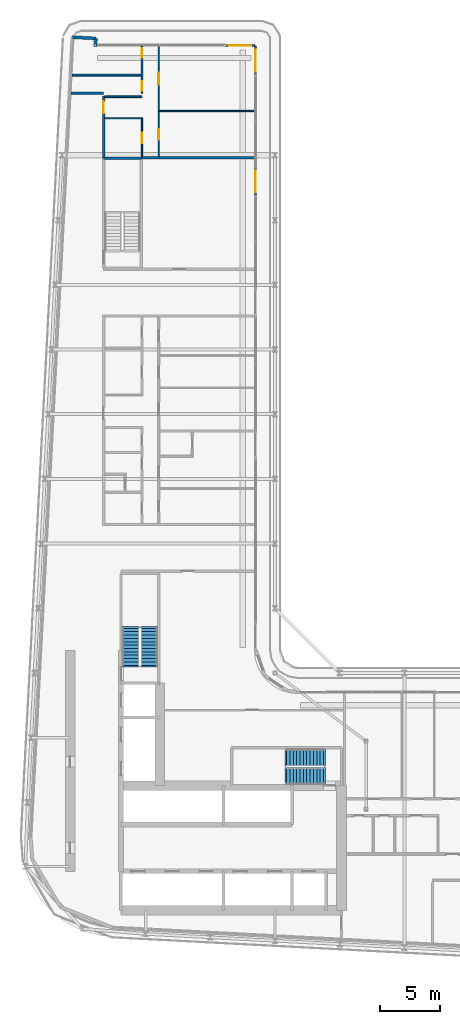
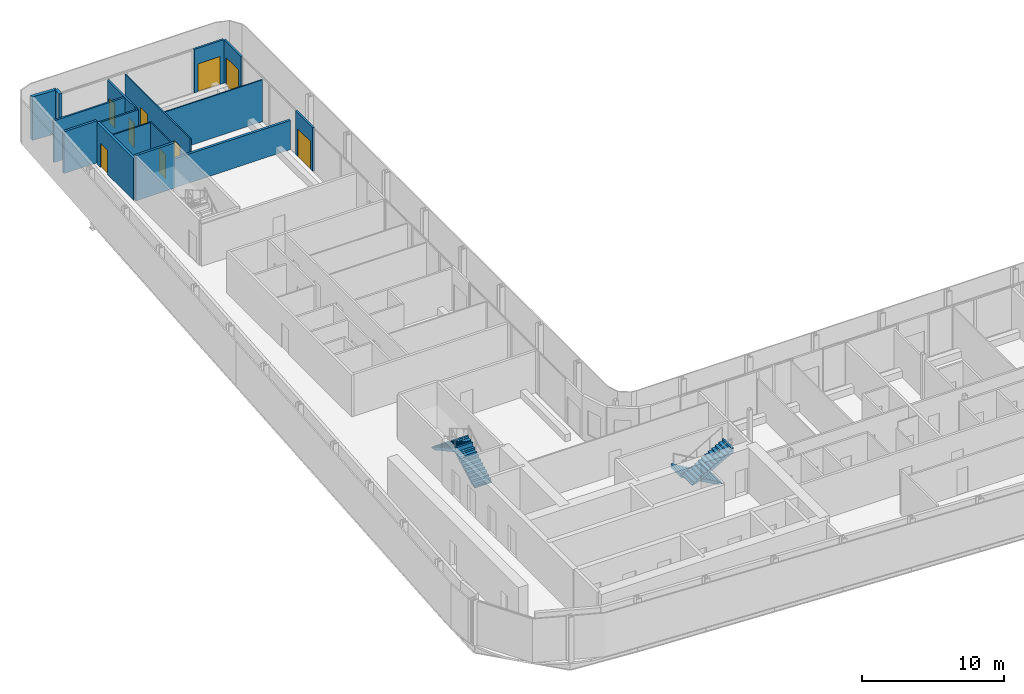
# One storey, part 20 of 28: 16 walls, 9 doors, 4 stair flights, 9 openings, 2 elements without a shape of their own.
"""IFC4 building model written with IfcOpenShell, lengths in metres."""

from ifc_helpers import new_model, si_unit, direction, frame, frame_2d, origin, place, context, subcontext, project, spatial, polyline, rectangle, outline, extrude, source, transform, mapped, material, layer, layer_set, type_object, element, fill, aggregate, save


model = new_model("IFC4")

# Units and contexts
model_context = context("Model", 3, precision=1e-05, world=origin(), true_north=direction((0.0, 1.0)))
body_context = subcontext(model_context, "Body", "Model", "MODEL_VIEW")
ifc_project = project(units=[si_unit("LENGTHUNIT", "METRE"), si_unit("AREAUNIT", "SQUARE_METRE"), si_unit("VOLUMEUNIT", "CUBIC_METRE"), si_unit("PLANEANGLEUNIT", "RADIAN"), si_unit("MASSUNIT", "GRAM", prefix="KILO")], contexts=[model_context])

# Site, building, storey
site_placement = place(None, origin())
site = spatial("IfcSite", under=ifc_project, at=site_placement, CompositionType="ELEMENT")
building_placement = place(site_placement, origin())
building = spatial("IfcBuilding", under=site, at=building_placement, Name="Kheshtan School and Residences Tower", CompositionType="ELEMENT")
storey_placement = place(building_placement, frame((0.0, 0.0, 191.60009765625)))
storey = spatial("IfcBuildingStorey", under=building, at=storey_placement, Name="L45", CompositionType="ELEMENT", Elevation=191.60009765625)

# Wall
ifc_material_1 = material(Name="Gypsum board on steel studs with fire boards", Category="steel")
ifc_layer_1 = layer(ifc_material_1, 0.199951171875)
ifc_layer_set_1 = layer_set([ifc_layer_1], Name="Corridor wall 200")
wall_type_1 = type_object("IfcWallType", Name="Corridor wall 200", PredefinedType="PARTITIONING", material=ifc_layer_set_1)
wall_1_placement = place(storey_placement, frame((30.584716796875, 94.0, 0.0), z_axis=(0.0, 0.0, 1.0), x_axis=(1.0, 0.0, 0.0)))
element("IfcWall", 1, at=wall_1_placement, inside=storey, type_object=wall_type_1, Name="Partition L45-002", PredefinedType="PARTITIONING", context=body_context, shape_type="SweptSolid", body=[
    extrude(rectangle(XDim=2.71533203125, YDim=0.199951171875, at=frame_2d((1.357666015625, 0.0))), origin(), (0.0, 0.0, 1.0), 3.599853515625),
])

# Wall, opening, door
wall_2_placement = place(storey_placement, frame((33.300048828125, 88.60009765625, 0.0), z_axis=(0.0, 0.0, 1.0), x_axis=(0.0, 1.0, 0.0)))
wall_2 = element("IfcWall", 2, at=wall_2_placement, inside=storey, type_object=wall_type_1, Name="Partition L45-005", PredefinedType="PARTITIONING", context=body_context, shape_type="SweptSolid", body=[
    extrude(rectangle(XDim=5.1748046875, YDim=0.199951171875, at=frame_2d((2.58740234375, 0.0))), origin(), (0.0, 0.0, 1.0), 3.599853515625),
])
opening_1_placement = place(wall_2_placement, frame((3.699951171875, 0.0, 0.0)))
opening_1 = element("IfcOpeningElement", 3, at=opening_1_placement, cuts=wall_2, Name="Opening D43-049", PredefinedType="OPENING", context=body_context, shape_type="SweptSolid", body=[
    extrude(rectangle(XDim=1.0, YDim=2.10009765625, at=frame_2d((0.5, 1.050048828125))), frame((0.0, 0.10986328125, 0.0), z_axis=(0.0, -1.0, 0.0), x_axis=(1.0, 0.0, 0.0)), (0.0, 0.0, 1.0), 0.219970703125),
])
ifc_material_2 = material(Name="Steel-framed fire-resisting door leaf", Category="steel")
door_type_1 = type_object("IfcDoorType", Name="Fire door FD30S 1000 x 2100", OperationType="SINGLE_SWING_LEFT", PredefinedType="DOOR", material=ifc_material_2)
shared_shape_1 = source(origin(), body_context, "Body", "SweptSolid", [
    extrude(rectangle(XDim=1.0, YDim=2.10009765625, at=frame_2d((0.5, 1.050048828125))), frame((0.0, 0.02490234375, 0.0), z_axis=(0.0, -1.0, 0.0), x_axis=(1.0, 0.0, 0.0)), (0.0, 0.0, 1.0), 0.050048828125),
])
door_1_placement = place(opening_1_placement, origin())
door_1 = element("IfcDoor", 4, at=door_1_placement, inside=storey, type_object=door_type_1, Name="Door D43-049", OperationType="SINGLE_SWING_RIGHT", OverallHeight=2.10009765625, OverallWidth=1.0, PredefinedType="DOOR", context=body_context, shape_type="MappedRepresentation", body=[
    mapped(shared_shape_1, transform((0.0, 0.0, 0.0), x_axis=(1.0, 0.0, 0.0), y_axis=(0.0, 1.0, 0.0), z_axis=(0.0, 0.0, 1.0), scale=1.0)),
])
fill(opening_1, door_1)

# Walls
ifc_material_3 = material(Name="Concrete C40/50 with ceramic cladding and mineral wool insulation", Category="concrete")
ifc_layer_2 = layer(ifc_material_3, 0.25)
ifc_layer_set_2 = layer_set([ifc_layer_2], Name="External wall 250 ceramic clad")
wall_type_2 = type_object("IfcWallType", Name="External wall 250 ceramic clad", PredefinedType="SOLIDWALL", material=ifc_layer_set_2)
wall_3_placement = place(storey_placement, frame((30.705078125, 98.6640625, 0.0), z_axis=(0.0, 0.0, 1.0), x_axis=(0.998577785791, -0.053314216913, 0.0)))
element("IfcWall", 5, at=wall_3_placement, inside=storey, type_object=wall_type_2, Name="External wall L45 5", PredefinedType="SOLIDWALL", context=body_context, shape_type="SweptSolid", body=[
    extrude(rectangle(XDim=1.95068359375, YDim=0.25, at=frame_2d((0.975341796875, 0.0))), origin(), (0.0, 0.0, 1.0), 3.75),
])
wall_4_placement = place(storey_placement, frame((32.653076171875, 98.56005859375, 0.0), z_axis=(0.0, 0.0, 1.0), x_axis=(-0.054093451632, -0.998535877418, 0.0)))
element("IfcWall", 6, at=wall_4_placement, inside=storey, type_object=wall_type_2, Name="External wall L45 6", PredefinedType="SOLIDWALL", context=body_context, shape_type="SweptSolid", body=[
    extrude(rectangle(XDim=0.66796875, YDim=0.25, at=frame_2d((0.333984375, 0.0))), origin(), (0.0, 0.0, 1.0), 3.75),
])

# Wall, opening, door
ifc_material_4 = material(Name="Aluminium frame wall with insulated infill", Category="aluminium")
ifc_layer_3 = layer(ifc_material_4, 0.14990234375)
ifc_layer_set_3 = layer_set([ifc_layer_3], Name="Glazing frame wall 150")
wall_type_3 = type_object("IfcWallType", Name="Glazing frame wall 150", PredefinedType="SOLIDWALL", material=ifc_layer_set_3)
wall_5_placement = place(storey_placement, frame((43.5, 97.97509765625, 0.0), z_axis=(0.0, 0.0, 1.0), x_axis=(1.0, 0.0, 0.0)))
wall_5 = element("IfcWall", 7, at=wall_5_placement, inside=storey, type_object=wall_type_3, Name="Balcony door wall L45 7.1", PredefinedType="SOLIDWALL", context=body_context, shape_type="SweptSolid", body=[
    extrude(rectangle(XDim=2.39990234375, YDim=0.14990234375, at=frame_2d((1.199951171875, 0.0))), origin(), (0.0, 0.0, 1.0), 3.75),
])
opening_2_placement = place(wall_5_placement, frame((0.300048828125, 0.0, 0.0)))
opening_2 = element("IfcOpeningElement", 8, at=opening_2_placement, cuts=wall_5, Name="Opening BD", PredefinedType="OPENING", context=body_context, shape_type="SweptSolid", body=[
    extrude(rectangle(XDim=1.800048828125, YDim=2.39990234375, at=frame_2d((0.89990234375, 1.199951171875))), frame((0.0, 0.0849609375, 0.0), z_axis=(0.0, -1.0, 0.0), x_axis=(1.0, 0.0, 0.0)), (0.0, 0.0, 1.0), 0.169921875),
])
ifc_material_5 = material(Name="Clear low-e glass in thermally broken aluminium frame", Category="aluminium")
door_type_2 = type_object("IfcDoorType", Name="Balcony sliding door", OperationType="SLIDING_TO_LEFT", PredefinedType="DOOR", material=ifc_material_5)
shared_shape_2 = source(origin(), body_context, "Body", "SweptSolid", [
    extrude(rectangle(XDim=1.800048828125, YDim=2.39990234375, at=frame_2d((0.89990234375, 1.199951171875))), frame((0.0, 0.02490234375, 0.0), z_axis=(0.0, -1.0, 0.0), x_axis=(1.0, 0.0, 0.0)), (0.0, 0.0, 1.0), 0.050048828125),
])
door_2_placement = place(opening_2_placement, origin())
door_2 = element("IfcDoor", 9, at=door_2_placement, inside=storey, type_object=door_type_2, Name="Balcony door L45 7.1", OperationType="SLIDING_TO_LEFT", OverallHeight=2.39990234375, OverallWidth=1.800048828125, PredefinedType="DOOR", context=body_context, shape_type="MappedRepresentation", body=[
    mapped(shared_shape_2, transform((0.0, 0.0, 0.0), x_axis=(1.0, 0.0, 0.0), y_axis=(0.0, 1.0, 0.0), z_axis=(0.0, 0.0, 1.0), scale=1.0)),
])
fill(opening_2, door_2)

wall_6_placement = place(storey_placement, frame((45.97509765625, 97.89990234375, 0.0), z_axis=(0.0, 0.0, 1.0), x_axis=(0.0, -1.0, 0.0)))
wall_6 = element("IfcWall", 10, at=wall_6_placement, inside=storey, type_object=wall_type_3, Name="Balcony door wall L45 8.1", PredefinedType="SOLIDWALL", context=body_context, shape_type="SweptSolid", body=[
    extrude(rectangle(XDim=2.39990234375, YDim=0.14990234375, at=frame_2d((1.199951171875, 0.0))), origin(), (0.0, 0.0, 1.0), 3.75),
])
opening_3_placement = place(wall_6_placement, frame((0.300048828125, 0.0, 0.0)))
opening_3 = element("IfcOpeningElement", 11, at=opening_3_placement, cuts=wall_6, Name="Opening BD", PredefinedType="OPENING", context=body_context, shape_type="SweptSolid", body=[
    extrude(rectangle(XDim=1.800048828125, YDim=2.39990234375, at=frame_2d((0.89990234375, 1.199951171875))), frame((0.0, 0.0849609375, 0.0), z_axis=(0.0, -1.0, 0.0), x_axis=(1.0, 0.0, 0.0)), (0.0, 0.0, 1.0), 0.169921875),
])
door_3_placement = place(opening_3_placement, origin())
door_3 = element("IfcDoor", 12, at=door_3_placement, inside=storey, type_object=door_type_2, Name="Balcony door L45 8.1", OperationType="SLIDING_TO_LEFT", OverallHeight=2.39990234375, OverallWidth=1.800048828125, PredefinedType="DOOR", context=body_context, shape_type="MappedRepresentation", body=[
    mapped(shared_shape_2, transform((0.0, 0.0, 0.0), x_axis=(1.0, 0.0, 0.0), y_axis=(0.0, 1.0, 0.0), z_axis=(0.0, 0.0, 1.0), scale=1.0)),
])
fill(opening_3, door_3)

wall_7_placement = place(storey_placement, frame((45.97509765625, 87.805908203125, 0.0), z_axis=(0.0, 0.0, 1.0), x_axis=(0.0, -1.0, 0.0)))
wall_7 = element("IfcWall", 13, at=wall_7_placement, inside=storey, type_object=wall_type_3, Name="Balcony door wall L45 8.2", PredefinedType="SOLIDWALL", context=body_context, shape_type="SweptSolid", body=[
    extrude(rectangle(XDim=2.39990234375, YDim=0.14990234375, at=frame_2d((1.199951171875, 0.0))), origin(), (0.0, 0.0, 1.0), 3.75),
])
opening_4_placement = place(wall_7_placement, frame((0.300048828125, 0.0, 0.0)))
opening_4 = element("IfcOpeningElement", 14, at=opening_4_placement, cuts=wall_7, Name="Opening BD", PredefinedType="OPENING", context=body_context, shape_type="SweptSolid", body=[
    extrude(rectangle(XDim=1.800048828125, YDim=2.39990234375, at=frame_2d((0.89990234375, 1.199951171875))), frame((0.0, 0.0849609375, 0.0), z_axis=(0.0, -1.0, 0.0), x_axis=(1.0, 0.0, 0.0)), (0.0, 0.0, 1.0), 0.169921875),
])
door_4_placement = place(opening_4_placement, origin())
door_4 = element("IfcDoor", 15, at=door_4_placement, inside=storey, type_object=door_type_2, Name="Balcony door L45 8.2", OperationType="SLIDING_TO_LEFT", OverallHeight=2.39990234375, OverallWidth=1.800048828125, PredefinedType="DOOR", context=body_context, shape_type="MappedRepresentation", body=[
    mapped(shared_shape_2, transform((0.0, 0.0, 0.0), x_axis=(1.0, 0.0, 0.0), y_axis=(0.0, 1.0, 0.0), z_axis=(0.0, 0.0, 1.0), scale=1.0)),
])
fill(opening_4, door_4)

# Wall
ifc_material_6 = material(Name="Gypsum board on steel studs", Category="steel")
ifc_layer_4 = layer(ifc_material_6, 0.10009765625)
ifc_layer_set_4 = layer_set([ifc_layer_4], Name="Gypsum partition 100")
wall_type_4 = type_object("IfcWallType", Name="Gypsum partition 100", PredefinedType="PARTITIONING", material=ifc_layer_set_4)
wall_8_placement = place(storey_placement, frame((33.39990234375, 91.89990234375, 0.0), z_axis=(0.0, 0.0, 1.0), x_axis=(1.0, 0.0, 0.0)))
element("IfcWall", 16, at=wall_8_placement, inside=storey, type_object=wall_type_4, Name="Partition L45-014", PredefinedType="PARTITIONING", context=body_context, shape_type="SweptSolid", body=[
    extrude(rectangle(XDim=3.050048828125, YDim=0.10009765625, at=frame_2d((1.52490234375, 0.0))), origin(), (0.0, 0.0, 1.0), 3.599853515625),
])

# Wall, opening, door
wall_9_placement = place(storey_placement, frame((36.5, 88.699951171875, 0.0), z_axis=(0.0, 0.0, 1.0), x_axis=(0.0, 1.0, 0.0)))
wall_9 = element("IfcWall", 17, at=wall_9_placement, inside=storey, type_object=wall_type_4, Name="Partition L45-021", PredefinedType="PARTITIONING", context=body_context, shape_type="SweptSolid", body=[
    extrude(rectangle(XDim=3.25, YDim=0.10009765625, at=frame_2d((1.625, 0.0))), origin(), (0.0, 0.0, 1.0), 3.599853515625),
])
opening_5_placement = place(wall_9_placement, frame((1.10009765625, 0.0, 0.0)))
opening_5 = element("IfcOpeningElement", 18, at=opening_5_placement, cuts=wall_9, Name="Opening D43-050", PredefinedType="OPENING", context=body_context, shape_type="SweptSolid", body=[
    extrude(rectangle(XDim=0.89990234375, YDim=2.10009765625, at=frame_2d((0.449951171875, 1.050048828125))), frame((0.0, 0.06005859375, 0.0), z_axis=(0.0, -1.0, 0.0), x_axis=(1.0, 0.0, 0.0)), (0.0, 0.0, 1.0), 0.1201171875),
])
ifc_material_7 = material(Name="Veneered timber door leaf", Category="wood")
door_type_3 = type_object("IfcDoorType", Name="Door 900 x 2100", OperationType="SINGLE_SWING_LEFT", PredefinedType="DOOR", material=ifc_material_7)
shared_shape_3 = source(origin(), body_context, "Body", "SweptSolid", [
    extrude(rectangle(XDim=0.89990234375, YDim=2.10009765625, at=frame_2d((0.449951171875, 1.050048828125))), frame((0.0, 0.02490234375, 0.0), z_axis=(0.0, -1.0, 0.0), x_axis=(1.0, 0.0, 0.0)), (0.0, 0.0, 1.0), 0.050048828125),
])
door_5_placement = place(opening_5_placement, origin())
door_5 = element("IfcDoor", 19, at=door_5_placement, inside=storey, type_object=door_type_3, Name="Door D43-050", OperationType="SINGLE_SWING_LEFT", OverallHeight=2.10009765625, OverallWidth=0.89990234375, PredefinedType="DOOR", context=body_context, shape_type="MappedRepresentation", body=[
    mapped(shared_shape_3, transform((0.0, 0.0, 0.0), x_axis=(1.0, 0.0, 0.0), y_axis=(0.0, 1.0, 0.0), z_axis=(0.0, 0.0, 1.0), scale=1.0)),
])
fill(opening_5, door_5)

# Wall, openings, doors
wall_10_placement = place(storey_placement, frame((37.89990234375, 88.699951171875, 0.0), z_axis=(0.0, 0.0, 1.0), x_axis=(0.0, 1.0, 0.0)))
wall_10 = element("IfcWall", 20, at=wall_10_placement, inside=storey, type_object=wall_type_4, Name="Partition L45-024", PredefinedType="PARTITIONING", context=body_context, shape_type="SweptSolid", body=[
    extrude(rectangle(XDim=9.199951171875, YDim=0.10009765625, at=frame_2d((4.60009765625, 0.0))), origin(), (0.0, 0.0, 1.0), 3.599853515625),
])
opening_6_placement = place(wall_10_placement, frame((1.39990234375, 0.0, 0.0)))
opening_6 = element("IfcOpeningElement", 21, at=opening_6_placement, cuts=wall_10, Name="Opening D43-048", PredefinedType="OPENING", context=body_context, shape_type="SweptSolid", body=[
    extrude(rectangle(XDim=0.89990234375, YDim=2.10009765625, at=frame_2d((0.449951171875, 1.050048828125))), frame((0.0, 0.06005859375, 0.0), z_axis=(0.0, -1.0, 0.0), x_axis=(1.0, 0.0, 0.0)), (0.0, 0.0, 1.0), 0.1201171875),
])
opening_7_placement = place(wall_10_placement, frame((6.0, 0.0, 0.0)))
opening_7 = element("IfcOpeningElement", 22, at=opening_7_placement, cuts=wall_10, Name="Opening D43-051", PredefinedType="OPENING", context=body_context, shape_type="SweptSolid", body=[
    extrude(rectangle(XDim=1.0, YDim=2.10009765625, at=frame_2d((0.5, 1.050048828125))), frame((0.0, 0.06005859375, 0.0), z_axis=(0.0, -1.0, 0.0), x_axis=(1.0, 0.0, 0.0)), (0.0, 0.0, 1.0), 0.1201171875),
])
door_type_4 = type_object("IfcDoorType", Name="Door 1000 x 2100", OperationType="SINGLE_SWING_LEFT", PredefinedType="DOOR", material=ifc_material_7)
shared_shape_4 = source(origin(), body_context, "Body", "SweptSolid", [
    extrude(rectangle(XDim=1.0, YDim=2.10009765625, at=frame_2d((0.5, 1.050048828125))), frame((0.0, 0.02490234375, 0.0), z_axis=(0.0, -1.0, 0.0), x_axis=(1.0, 0.0, 0.0)), (0.0, 0.0, 1.0), 0.050048828125),
])
door_6_placement = place(opening_7_placement, origin())
door_6 = element("IfcDoor", 23, at=door_6_placement, inside=storey, type_object=door_type_4, Name="Door D43-051", OperationType="SINGLE_SWING_RIGHT", OverallHeight=2.10009765625, OverallWidth=1.0, PredefinedType="DOOR", context=body_context, shape_type="MappedRepresentation", body=[
    mapped(shared_shape_4, transform((0.0, 0.0, 0.0), x_axis=(1.0, 0.0, 0.0), y_axis=(0.0, 1.0, 0.0), z_axis=(0.0, 0.0, 1.0), scale=1.0)),
])
fill(opening_7, door_6)
door_7_placement = place(opening_6_placement, origin())
door_7 = element("IfcDoor", 24, at=door_7_placement, inside=storey, type_object=door_type_3, Name="Door D43-048", OperationType="SINGLE_SWING_LEFT", OverallHeight=2.10009765625, OverallWidth=0.89990234375, PredefinedType="DOOR", context=body_context, shape_type="MappedRepresentation", body=[
    mapped(shared_shape_3, transform((0.0, 0.0, 0.0), x_axis=(1.0, 0.0, 0.0), y_axis=(0.0, 1.0, 0.0), z_axis=(0.0, 0.0, 1.0), scale=1.0)),
])
fill(opening_6, door_7)

# Walls
wall_11_placement = place(storey_placement, frame((37.949951171875, 92.5, 0.0), z_axis=(0.0, 0.0, 1.0), x_axis=(1.0, 0.0, 0.0)))
element("IfcWall", 25, at=wall_11_placement, inside=storey, type_object=wall_type_4, Name="Partition L45-025", PredefinedType="PARTITIONING", context=body_context, shape_type="SweptSolid", body=[
    extrude(rectangle(XDim=7.949951171875, YDim=0.10009765625, at=frame_2d((3.97509765625, 0.0))), origin(), (0.0, 0.0, 1.0), 3.599853515625),
])
ifc_material_8 = material(Name="Concrete C40/50", Category="concrete")
ifc_layer_5 = layer(ifc_material_8, 0.199951171875)
ifc_layer_set_5 = layer_set([ifc_layer_5], Name="Stair enclosure wall 200 Concrete C40/50")
wall_type_5 = type_object("IfcWallType", Name="Stair enclosure wall 200 Concrete C40/50", PredefinedType="SHEAR", material=ifc_layer_set_5)
wall_12_placement = place(storey_placement, frame((33.300048828125, 88.56005859375, 0.0), z_axis=(0.0, 0.0, 1.0), x_axis=(1.0, 0.0, 0.0)))
element("IfcWall", 26, at=wall_12_placement, inside=storey, type_object=wall_type_5, Name="Stair enclosure wall ST3", PredefinedType="SHEAR", context=body_context, shape_type="SweptSolid", body=[
    extrude(rectangle(XDim=3.14990234375, YDim=0.199951171875, at=frame_2d((1.574951171875, 0.0))), origin(), (0.0, 0.0, 1.0), 3.89990234375),
])
ifc_material_9 = material(Name="Twin gypsum board on steel studs with mineral wool", Category="steel")
ifc_layer_6 = layer(ifc_material_9, 0.199951171875)
ifc_layer_set_6 = layer_set([ifc_layer_6], Name="Unit demising wall 200")
wall_type_6 = type_object("IfcWallType", Name="Unit demising wall 200", PredefinedType="PARTITIONING", material=ifc_layer_set_6)
wall_13_placement = place(storey_placement, frame((36.449951171875, 88.60009765625, 0.0), z_axis=(0.0, 0.0, 1.0), x_axis=(1.0, 0.0, 0.0)))
element("IfcWall", 27, at=wall_13_placement, inside=storey, type_object=wall_type_6, Name="Partition L45-018", PredefinedType="PARTITIONING", context=body_context, shape_type="SweptSolid", body=[
    extrude(rectangle(XDim=9.449951171875, YDim=0.199951171875, at=frame_2d((4.72509765625, 0.0))), origin(), (0.0, 0.0, 1.0), 2.5),
])
ifc_material_10 = material(Name="Moisture-resistant gypsum board on steel studs", Category="steel")
ifc_layer_7 = layer(ifc_material_10, 0.14990234375)
ifc_layer_set_7 = layer_set([ifc_layer_7], Name="Wet-room partition 150")
wall_type_7 = type_object("IfcWallType", Name="Wet-room partition 150", PredefinedType="PARTITIONING", material=ifc_layer_set_7)
wall_14_placement = place(storey_placement, frame((30.6640625, 95.5, 0.0), z_axis=(0.0, 0.0, 1.0), x_axis=(1.0, 0.0, 0.0)))
element("IfcWall", 28, at=wall_14_placement, inside=storey, type_object=wall_type_7, Name="Partition L45-001", PredefinedType="PARTITIONING", context=body_context, shape_type="SweptSolid", body=[
    extrude(rectangle(XDim=5.760986328125, YDim=0.14990234375, at=frame_2d((2.88037109375, 0.0))), origin(), (0.0, 0.0, 1.0), 3.599853515625),
])
wall_15_placement = place(storey_placement, frame((33.39990234375, 93.699951171875, 0.0), z_axis=(0.0, 0.0, 1.0), x_axis=(1.0, 0.0, 0.0)))
element("IfcWall", 29, at=wall_15_placement, inside=storey, type_object=wall_type_7, Name="Partition L45-015", PredefinedType="PARTITIONING", context=body_context, shape_type="SweptSolid", body=[
    extrude(rectangle(XDim=3.10009765625, YDim=0.14990234375, at=frame_2d((1.550048828125, 0.0))), origin(), (0.0, 0.0, 1.0), 3.599853515625),
])

# Wall, openings, doors
wall_16_placement = place(storey_placement, frame((36.5, 94.0, 0.0), z_axis=(0.0, 0.0, 1.0), x_axis=(0.0, 1.0, 0.0)))
wall_16 = element("IfcWall", 30, at=wall_16_placement, inside=storey, type_object=wall_type_7, Name="Partition L45-022", PredefinedType="PARTITIONING", context=body_context, shape_type="SweptSolid", body=[
    extrude(rectangle(XDim=3.89990234375, YDim=0.14990234375, at=frame_2d((1.949951171875, 0.0))), origin(), (0.0, 0.0, 1.0), 3.599853515625),
])
opening_8_placement = place(wall_16_placement, frame((2.949951171875, 0.0, 0.0)))
opening_8 = element("IfcOpeningElement", 31, at=opening_8_placement, cuts=wall_16, Name="Opening D43-047", PredefinedType="OPENING", context=body_context, shape_type="SweptSolid", body=[
    extrude(rectangle(XDim=0.800048828125, YDim=2.10009765625, at=frame_2d((0.39990234375, 1.050048828125))), frame((0.0, 0.0849609375, 0.0), z_axis=(0.0, -1.0, 0.0), x_axis=(1.0, 0.0, 0.0)), (0.0, 0.0, 1.0), 0.169921875),
])
opening_9_placement = place(wall_16_placement, frame((0.199951171875, 0.0, 0.0)))
opening_9 = element("IfcOpeningElement", 32, at=opening_9_placement, cuts=wall_16, Name="Opening D43-052", PredefinedType="OPENING", context=body_context, shape_type="SweptSolid", body=[
    extrude(rectangle(XDim=0.800048828125, YDim=2.10009765625, at=frame_2d((0.39990234375, 1.050048828125))), frame((0.0, 0.0849609375, 0.0), z_axis=(0.0, -1.0, 0.0), x_axis=(1.0, 0.0, 0.0)), (0.0, 0.0, 1.0), 0.169921875),
])
door_type_5 = type_object("IfcDoorType", Name="Door 800 x 2100", OperationType="SINGLE_SWING_LEFT", PredefinedType="DOOR", material=ifc_material_7)
shared_shape_5 = source(origin(), body_context, "Body", "SweptSolid", [
    extrude(rectangle(XDim=0.800048828125, YDim=2.10009765625, at=frame_2d((0.39990234375, 1.050048828125))), frame((0.0, 0.02490234375, 0.0), z_axis=(0.0, -1.0, 0.0), x_axis=(1.0, 0.0, 0.0)), (0.0, 0.0, 1.0), 0.050048828125),
])
door_8_placement = place(opening_8_placement, origin())
door_8 = element("IfcDoor", 33, at=door_8_placement, inside=storey, type_object=door_type_5, Name="Door D43-047", OperationType="SINGLE_SWING_LEFT", OverallHeight=2.10009765625, OverallWidth=0.800048828125, PredefinedType="DOOR", context=body_context, shape_type="MappedRepresentation", body=[
    mapped(shared_shape_5, transform((0.0, 0.0, 0.0), x_axis=(1.0, 0.0, 0.0), y_axis=(0.0, 1.0, 0.0), z_axis=(0.0, 0.0, 1.0), scale=1.0)),
])
fill(opening_8, door_8)
door_9_placement = place(opening_9_placement, origin())
door_9 = element("IfcDoor", 34, at=door_9_placement, inside=storey, type_object=door_type_5, Name="Door D43-052", OperationType="SINGLE_SWING_RIGHT", OverallHeight=2.10009765625, OverallWidth=0.800048828125, PredefinedType="DOOR", context=body_context, shape_type="MappedRepresentation", body=[
    mapped(shared_shape_5, transform((0.0, 0.0, 0.0), x_axis=(1.0, 0.0, 0.0), y_axis=(0.0, 1.0, 0.0), z_axis=(0.0, 0.0, 1.0), scale=1.0)),
])
fill(opening_9, door_9)

# Stair, stair flights
stair_type = type_object("IfcStairType", Name="Exit stair, half-turn", PredefinedType="HALF_TURN_STAIR", material=ifc_material_8)
stair_1_placement = place(storey_placement, origin())
stair_1 = element("IfcStair", 35, at=stair_1_placement, inside=storey, type_object=stair_type, Name="L45 Protected Exit Stair ST1", PredefinedType="HALF_TURN_STAIR")
ifc_layer_8 = layer(ifc_material_8, 0.14990234375)
ifc_layer_set_8 = layer_set([ifc_layer_8], Name="Stair flight 1400 Concrete C40/50")
stair_flight_type = type_object("IfcStairFlightType", Name="Stair flight 1400 Concrete C40/50", PredefinedType="STRAIGHT", material=ifc_layer_set_8)
stair_flight_1_placement = place(storey_placement, frame((51.64990234375, 38.550048828125, 0.0), z_axis=(0.0, 0.0, 1.0), x_axis=(-1.0, 0.0, 0.0)))
stair_flight_1 = element("IfcStairFlight", 36, at=stair_flight_1_placement, type_object=stair_flight_type, Name="ST1 flight 1", NumberOfRisers=12, NumberOfTreads=11, PredefinedType="STRAIGHT", RiserHeight=0.1625, TreadLength=0.28, context=body_context, shape_type="SweptSolid", body=[
    extrude(outline(polyline([(-0.14990234375, -0.10009765625), (-0.14990234375, 0.0), (0.0, 0.0), (0.0, 0.16259765625), (0.280029296875, 0.16259765625), (0.280029296875, 0.324951171875), (0.56005859375, 0.324951171875), (0.56005859375, 0.487548828125), (0.840087890625, 0.487548828125), (0.840087890625, 0.64990234375), (1.1201171875, 0.64990234375), (1.1201171875, 0.8125), (1.39990234375, 0.8125), (1.39990234375, 0.97509765625), (1.679931640625, 0.97509765625), (1.679931640625, 1.137451171875), (1.9599609375, 1.137451171875), (1.9599609375, 1.300048828125), (2.239990234375, 1.300048828125), (2.239990234375, 1.46240234375), (2.52001953125, 1.46240234375), (2.52001953125, 1.625), (2.800048828125, 1.625), (2.800048828125, 1.78759765625), (3.080078125, 1.78759765625), (3.080078125, 1.949951171875), (3.080078125, 1.969970703125), (3.22998046875, 1.969970703125), (3.22998046875, 1.6142578125), (0.298583984375, 0.0), (-0.14990234375, -0.10009765625)])), frame((0.0, 0.699951171875, 0.0), z_axis=(0.0, -1.0, 0.0), x_axis=(1.0, 0.0, 0.0)), (0.0, 0.0, 1.0), 1.39990234375),
])
stair_flight_2_placement = place(storey_placement, frame((48.570068359375, 37.0, 1.949951171875), z_axis=(0.0, 0.0, 1.0), x_axis=(1.0, 0.0, 0.0)))
stair_flight_2 = element("IfcStairFlight", 37, at=stair_flight_2_placement, type_object=stair_flight_type, Name="ST1 flight 2", NumberOfRisers=12, NumberOfTreads=11, PredefinedType="STRAIGHT", RiserHeight=0.1625, TreadLength=0.28, context=body_context, shape_type="SweptSolid", body=[
    extrude(outline(polyline([(-0.14990234375, -0.10009765625), (-0.14990234375, 0.0), (0.0, 0.0), (0.0, 0.16259765625), (0.280029296875, 0.16259765625), (0.280029296875, 0.324951171875), (0.56005859375, 0.324951171875), (0.56005859375, 0.487548828125), (0.840087890625, 0.487548828125), (0.840087890625, 0.64990234375), (1.1201171875, 0.64990234375), (1.1201171875, 0.8125), (1.39990234375, 0.8125), (1.39990234375, 0.97509765625), (1.679931640625, 0.97509765625), (1.679931640625, 1.137451171875), (1.9599609375, 1.137451171875), (1.9599609375, 1.300048828125), (2.239990234375, 1.300048828125), (2.239990234375, 1.46240234375), (2.52001953125, 1.46240234375), (2.52001953125, 1.625), (2.800048828125, 1.625), (2.800048828125, 1.78759765625), (3.080078125, 1.78759765625), (3.080078125, 1.949951171875), (3.080078125, 1.969970703125), (3.22998046875, 1.969970703125), (3.22998046875, 1.6142578125), (0.298583984375, 0.0), (-0.14990234375, -0.10009765625)])), frame((0.0, 0.699951171875, 0.0), z_axis=(0.0, -1.0, 0.0), x_axis=(1.0, 0.0, 0.0)), (0.0, 0.0, 1.0), 1.39990234375),
])
aggregate(stair_1, [stair_flight_1, stair_flight_2])

stair_2_placement = place(storey_placement, origin())
stair_2 = element("IfcStair", 38, at=stair_2_placement, inside=storey, type_object=stair_type, Name="L45 Protected Exit Stair ST2", PredefinedType="HALF_TURN_STAIR")
stair_flight_3_placement = place(storey_placement, frame((37.10009765625, 46.25, 0.0), z_axis=(0.0, 0.0, 1.0), x_axis=(0.0, 1.0, 0.0)))
stair_flight_3 = element("IfcStairFlight", 39, at=stair_flight_3_placement, type_object=stair_flight_type, Name="ST2 flight 1", NumberOfRisers=12, NumberOfTreads=11, PredefinedType="STRAIGHT", RiserHeight=0.1625, TreadLength=0.28, context=body_context, shape_type="SweptSolid", body=[
    extrude(outline(polyline([(-0.14990234375, -0.10009765625), (-0.14990234375, 0.0), (0.0, 0.0), (0.0, 0.16259765625), (0.280029296875, 0.16259765625), (0.280029296875, 0.324951171875), (0.56005859375, 0.324951171875), (0.56005859375, 0.487548828125), (0.840087890625, 0.487548828125), (0.840087890625, 0.64990234375), (1.1201171875, 0.64990234375), (1.1201171875, 0.8125), (1.39990234375, 0.8125), (1.39990234375, 0.97509765625), (1.679931640625, 0.97509765625), (1.679931640625, 1.137451171875), (1.9599609375, 1.137451171875), (1.9599609375, 1.300048828125), (2.239990234375, 1.300048828125), (2.239990234375, 1.46240234375), (2.52001953125, 1.46240234375), (2.52001953125, 1.625), (2.800048828125, 1.625), (2.800048828125, 1.78759765625), (3.080078125, 1.78759765625), (3.080078125, 1.949951171875), (3.080078125, 1.969970703125), (3.22998046875, 1.969970703125), (3.22998046875, 1.6142578125), (0.298583984375, 0.0), (-0.14990234375, -0.10009765625)])), frame((0.0, 0.699951171875, 0.0), z_axis=(0.0, -1.0, 0.0), x_axis=(1.0, 0.0, 0.0)), (0.0, 0.0, 1.0), 1.39990234375),
])
stair_flight_4_placement = place(storey_placement, frame((35.550048828125, 49.330078125, 1.949951171875), z_axis=(0.0, 0.0, 1.0), x_axis=(0.0, -1.0, 0.0)))
stair_flight_4 = element("IfcStairFlight", 40, at=stair_flight_4_placement, type_object=stair_flight_type, Name="ST2 flight 2", NumberOfRisers=12, NumberOfTreads=11, PredefinedType="STRAIGHT", RiserHeight=0.1625, TreadLength=0.28, context=body_context, shape_type="SweptSolid", body=[
    extrude(outline(polyline([(-0.14990234375, -0.10009765625), (-0.14990234375, 0.0), (0.0, 0.0), (0.0, 0.16259765625), (0.280029296875, 0.16259765625), (0.280029296875, 0.324951171875), (0.56005859375, 0.324951171875), (0.56005859375, 0.487548828125), (0.840087890625, 0.487548828125), (0.840087890625, 0.64990234375), (1.1201171875, 0.64990234375), (1.1201171875, 0.8125), (1.39990234375, 0.8125), (1.39990234375, 0.97509765625), (1.679931640625, 0.97509765625), (1.679931640625, 1.137451171875), (1.9599609375, 1.137451171875), (1.9599609375, 1.300048828125), (2.239990234375, 1.300048828125), (2.239990234375, 1.46240234375), (2.52001953125, 1.46240234375), (2.52001953125, 1.625), (2.800048828125, 1.625), (2.800048828125, 1.78759765625), (3.080078125, 1.78759765625), (3.080078125, 1.949951171875), (3.080078125, 1.969970703125), (3.22998046875, 1.969970703125), (3.22998046875, 1.6142578125), (0.298583984375, 0.0), (-0.14990234375, -0.10009765625)])), frame((0.0, 0.699951171875, 0.0), z_axis=(0.0, -1.0, 0.0), x_axis=(1.0, 0.0, 0.0)), (0.0, 0.0, 1.0), 1.39990234375),
])
aggregate(stair_2, [stair_flight_3, stair_flight_4])

save(model, "model.ifc")
